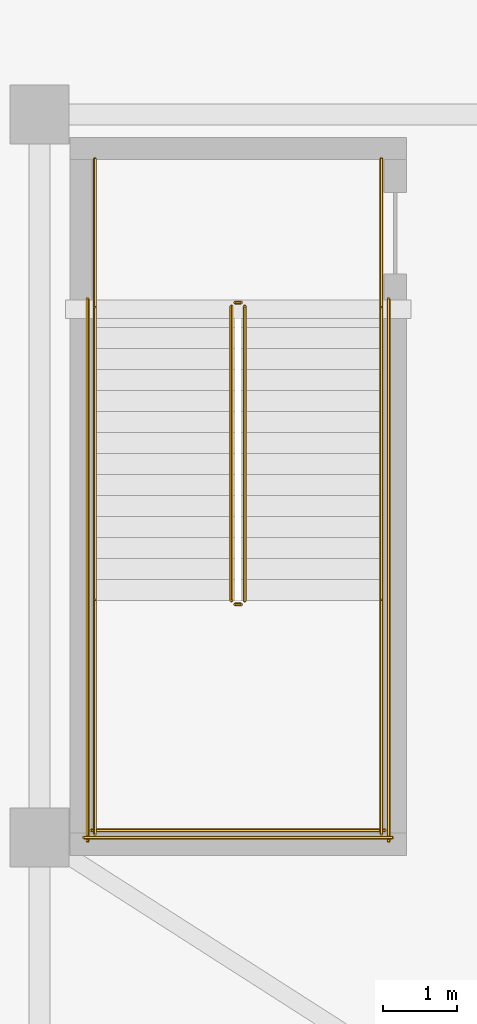
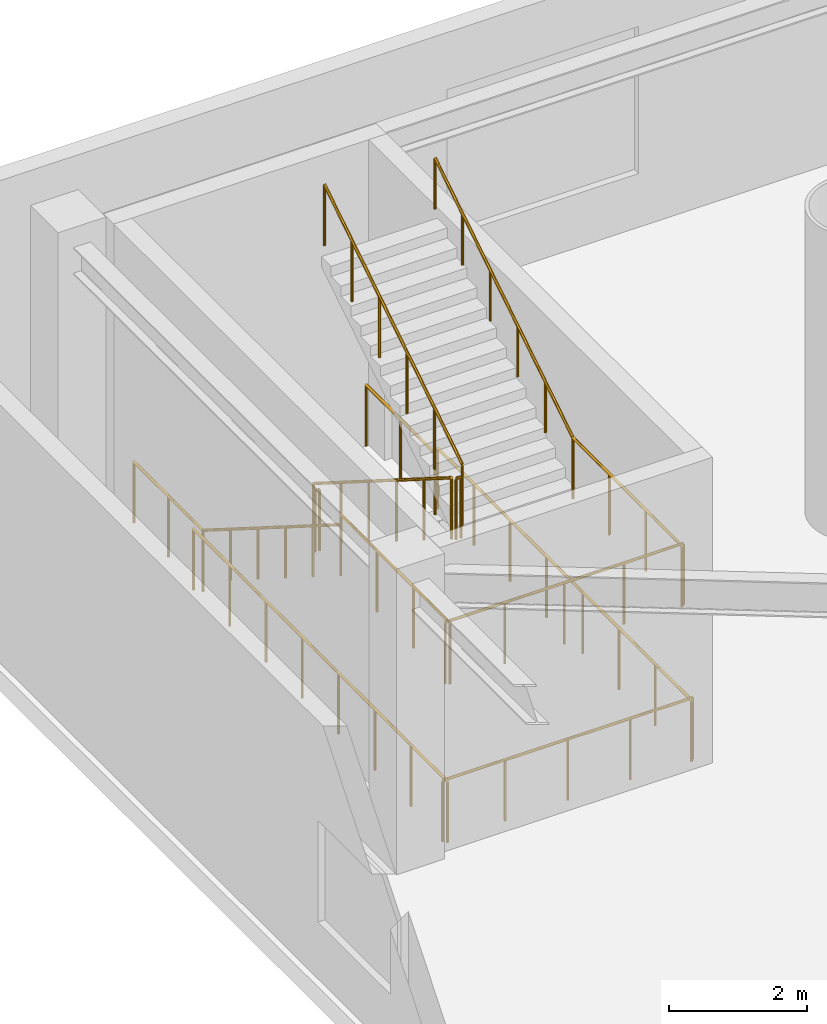
# One storey, part 14 of 16: 14 railings.
"""IFC4 building model written with IfcOpenShell, lengths in metres."""

from ifc_helpers import new_model, si_unit, direction, frame, origin, origin_2d, place, context, subcontext, project, spatial, circle, extrude, material, type_object, element, save


model = new_model("IFC4")

# Units and contexts
model_context = context("Model", 3, precision=1e-05, world=origin(), true_north=direction((0.0, 1.0)))
body_context = subcontext(model_context, "Body", "Model", "MODEL_VIEW")
ifc_project = project(units=[si_unit("LENGTHUNIT", "METRE"), si_unit("AREAUNIT", "SQUARE_METRE"), si_unit("VOLUMEUNIT", "CUBIC_METRE"), si_unit("PLANEANGLEUNIT", "RADIAN"), si_unit("MASSUNIT", "GRAM", prefix="KILO")], contexts=[model_context])

# Site, building, storey
site_placement = place(None, origin())
site = spatial("IfcSite", under=ifc_project, at=site_placement, CompositionType="ELEMENT")
building_placement = place(site_placement, origin())
building = spatial("IfcBuilding", under=site, at=building_placement, Name="Bramvorn Convention Spire", CompositionType="ELEMENT")
storey_placement = place(building_placement, frame((0.0, 0.0, 6.60009765625)))
storey = spatial("IfcBuildingStorey", under=building, at=storey_placement, Name="L01", CompositionType="ELEMENT", Elevation=6.60009765625)

# Railings
ifc_material_1 = material(Name="Painted Steel Balustrade & Guardrail", Category="steel")
railing_type_1 = type_object("IfcRailingType", Name="RL-STAIR-GUARD-1100", PredefinedType="GUARDRAIL", material=ifc_material_1)
railing_1_placement = place(storey_placement, frame((5.39990234375, 46.800048828125, 0.179931640625)))
element("IfcRailing", 1, at=railing_1_placement, inside=storey, type_object=railing_type_1, Name="L01 ST6 stair guard 1", PredefinedType="GUARDRAIL", context=body_context, shape_type="SweptSolid", body=[
    extrude(circle(Radius=0.02392578125, at=origin_2d()), frame((0.0, 0.0, 1.076171875), z_axis=(0.0, -0.845486444383, 0.533996884227), x_axis=(1.0, 0.0, 0.0)), (0.0, 0.0, 1.0), 4.71923828125),
    extrude(circle(Radius=0.02099609375, at=origin_2d()), origin(), (0.0, 0.0, 1.0), 1.052001953125),
    extrude(circle(Radius=0.02099609375, at=origin_2d()), frame((0.0, -0.798095703125, 0.50390625)), (0.0, 0.0, 1.0), 1.052001953125),
    extrude(circle(Radius=0.02099609375, at=origin_2d()), frame((0.0, -1.595947265625, 1.008056640625)), (0.0, 0.0, 1.0), 1.052001953125),
    extrude(circle(Radius=0.02099609375, at=origin_2d()), frame((0.0, -2.39404296875, 1.511962890625)), (0.0, 0.0, 1.0), 1.052001953125),
    extrude(circle(Radius=0.02099609375, at=origin_2d()), frame((0.0, -3.19189453125, 2.01611328125)), (0.0, 0.0, 1.0), 1.052001953125),
    extrude(circle(Radius=0.02099609375, at=origin_2d()), frame((0.0, -3.989990234375, 2.52001953125)), (0.0, 0.0, 1.0), 1.052001953125),
])
railing_2_placement = place(storey_placement, frame((5.449951171875, 42.760009765625, 2.699951171875)))
element("IfcRailing", 2, at=railing_2_placement, inside=storey, type_object=railing_type_1, Name="L01 ST6 stair guard 2", PredefinedType="GUARDRAIL", context=body_context, shape_type="SweptSolid", body=[
    extrude(circle(Radius=0.02392578125, at=origin_2d()), frame((0.0, 0.0, 1.076171875), z_axis=(1.0, 0.0, 0.0), x_axis=(0.0, 1.0, 0.0)), (0.0, 0.0, 1.0), 0.080078125),
    extrude(circle(Radius=0.02099609375, at=origin_2d()), origin(), (0.0, 0.0, 1.0), 1.052001953125),
    extrude(circle(Radius=0.02099609375, at=origin_2d()), frame((0.080078125, 0.0, 0.0)), (0.0, 0.0, 1.0), 1.052001953125),
])
for number, where, name in (
    (3, (3.550048828125, 42.81005859375, 2.699951171875), "L01 ST6 stair guard 3"),
    (4, (7.429931640625, 42.81005859375, 2.699951171875), "L01 ST6 stair guard 4"),
):
    element("IfcRailing", number, at=place(storey_placement, frame(where)), inside=storey, type_object=railing_type_1, Name=name, PredefinedType="GUARDRAIL", context=body_context, shape_type="SweptSolid", body=[
        extrude(circle(Radius=0.02392578125, at=origin_2d()), frame((0.0, 0.0, 1.076171875), z_axis=(0.0, -1.0, 0.0), x_axis=(1.0, 0.0, 0.0)), (0.0, 0.0, 1.0), 3.16015625),
        extrude(circle(Radius=0.02099609375, at=origin_2d()), origin(), (0.0, 0.0, 1.0), 1.052001953125),
        extrude(circle(Radius=0.02099609375, at=origin_2d()), frame((0.0, -1.053466796875, 0.0)), (0.0, 0.0, 1.0), 1.052001953125),
        extrude(circle(Radius=0.02099609375, at=origin_2d()), frame((0.0, -2.106689453125, 0.0)), (0.0, 0.0, 1.0), 1.052001953125),
        extrude(circle(Radius=0.02099609375, at=origin_2d()), frame((0.0, -3.16015625, 0.0)), (0.0, 0.0, 1.0), 1.052001953125),
    ])
railing_3_placement = place(storey_placement, frame((3.5, 39.699951171875, 2.699951171875)))
element("IfcRailing", 5, at=railing_3_placement, inside=storey, type_object=railing_type_1, Name="L01 ST6 stair guard 5", PredefinedType="GUARDRAIL", context=body_context, shape_type="SweptSolid", body=[
    extrude(circle(Radius=0.02392578125, at=origin_2d()), frame((0.0, 0.0, 1.076171875), z_axis=(1.0, 0.0, 0.0), x_axis=(0.0, 1.0, 0.0)), (0.0, 0.0, 1.0), 3.97998046875),
    extrude(circle(Radius=0.02099609375, at=origin_2d()), origin(), (0.0, 0.0, 1.0), 1.052001953125),
    extrude(circle(Radius=0.02099609375, at=origin_2d()), frame((0.9951171875, 0.0, 0.0)), (0.0, 0.0, 1.0), 1.052001953125),
    extrude(circle(Radius=0.02099609375, at=origin_2d()), frame((1.989990234375, 0.0, 0.0)), (0.0, 0.0, 1.0), 1.052001953125),
    extrude(circle(Radius=0.02099609375, at=origin_2d()), frame((2.98486328125, 0.0, 0.0)), (0.0, 0.0, 1.0), 1.052001953125),
    extrude(circle(Radius=0.02099609375, at=origin_2d()), frame((3.97998046875, 0.0, 0.0)), (0.0, 0.0, 1.0), 1.052001953125),
])
railing_4_placement = place(storey_placement, frame((5.580078125, 42.81005859375, 2.8798828125)))
element("IfcRailing", 6, at=railing_4_placement, inside=storey, type_object=railing_type_1, Name="L01 ST6 stair guard 6", PredefinedType="GUARDRAIL", context=body_context, shape_type="SweptSolid", body=[
    extrude(circle(Radius=0.02392578125, at=origin_2d()), frame((0.0, 0.0, 1.076171875), z_axis=(0.0, 0.845486444383, 0.533996884227), x_axis=(-1.0, 0.0, 0.0)), (0.0, 0.0, 1.0), 4.71923828125),
    extrude(circle(Radius=0.02099609375, at=origin_2d()), origin(), (0.0, 0.0, 1.0), 1.052001953125),
    extrude(circle(Radius=0.02099609375, at=origin_2d()), frame((0.0, 0.798095703125, 0.50390625)), (0.0, 0.0, 1.0), 1.052001953125),
    extrude(circle(Radius=0.02099609375, at=origin_2d()), frame((0.0, 1.595947265625, 1.008056640625)), (0.0, 0.0, 1.0), 1.052001953125),
    extrude(circle(Radius=0.02099609375, at=origin_2d()), frame((0.0, 2.39404296875, 1.511962890625)), (0.0, 0.0, 1.0), 1.052001953125),
    extrude(circle(Radius=0.02099609375, at=origin_2d()), frame((0.0, 3.19189453125, 2.01611328125)), (0.0, 0.0, 1.0), 1.052001953125),
    extrude(circle(Radius=0.02099609375, at=origin_2d()), frame((0.0, 3.989990234375, 2.52001953125)), (0.0, 0.0, 1.0), 1.052001953125),
])
railing_5_placement = place(storey_placement, frame((5.449951171875, 46.85009765625, 0.0)))
element("IfcRailing", 7, at=railing_5_placement, inside=storey, type_object=railing_type_1, Name="L01 ST6 stair guard 7", PredefinedType="GUARDRAIL", context=body_context, shape_type="SweptSolid", body=[
    extrude(circle(Radius=0.02392578125, at=origin_2d()), frame((0.0, 0.0, 1.076171875), z_axis=(1.0, 0.0, 0.0), x_axis=(0.0, 1.0, 0.0)), (0.0, 0.0, 1.0), 0.080078125),
    extrude(circle(Radius=0.02099609375, at=origin_2d()), origin(), (0.0, 0.0, 1.0), 1.052001953125),
    extrude(circle(Radius=0.02099609375, at=origin_2d()), frame((0.080078125, 0.0, 0.0)), (0.0, 0.0, 1.0), 1.052001953125),
])
for number, where, name in (
    (8, (3.550048828125, 48.800048828125, 0.0), "L01 ST6 stair guard 8"),
    (9, (7.429931640625, 48.800048828125, 0.0), "L01 ST6 stair guard 9"),
):
    element("IfcRailing", number, at=place(storey_placement, frame(where)), inside=storey, type_object=railing_type_1, Name=name, PredefinedType="GUARDRAIL", context=body_context, shape_type="SweptSolid", body=[
        extrude(circle(Radius=0.02392578125, at=origin_2d()), frame((0.0, 0.0, 1.076171875), z_axis=(0.0, -1.0, 0.0), x_axis=(1.0, 0.0, 0.0)), (0.0, 0.0, 1.0), 2.0),
        extrude(circle(Radius=0.02099609375, at=origin_2d()), origin(), (0.0, 0.0, 1.0), 1.052001953125),
        extrude(circle(Radius=0.02099609375, at=origin_2d()), frame((0.0, -1.0, 0.0)), (0.0, 0.0, 1.0), 1.052001953125),
        extrude(circle(Radius=0.02099609375, at=origin_2d()), frame((0.0, -2.0, 0.0)), (0.0, 0.0, 1.0), 1.052001953125),
    ])
for number, where, name in (
    (10, (3.449951171875, 46.89990234375, 0.0), "L01 ST6 stair guard 10"),
    (11, (7.530029296875, 46.89990234375, 0.0), "L01 ST6 stair guard 11"),
):
    element("IfcRailing", number, at=place(storey_placement, frame(where)), inside=storey, type_object=railing_type_1, Name=name, PredefinedType="GUARDRAIL", context=body_context, shape_type="SweptSolid", body=[
        extrude(circle(Radius=0.02392578125, at=origin_2d()), frame((0.0, 0.0, 1.076171875), z_axis=(0.0, -1.0, 0.0), x_axis=(1.0, 0.0, 0.0)), (0.0, 0.0, 1.0), 7.349853515625),
        extrude(circle(Radius=0.02099609375, at=origin_2d()), origin(), (0.0, 0.0, 1.0), 1.052001953125),
        extrude(circle(Radius=0.02099609375, at=origin_2d()), frame((0.0, -1.050048828125, 0.0)), (0.0, 0.0, 1.0), 1.052001953125),
        extrude(circle(Radius=0.02099609375, at=origin_2d()), frame((0.0, -2.099853515625, 0.0)), (0.0, 0.0, 1.0), 1.052001953125),
        extrude(circle(Radius=0.02099609375, at=origin_2d()), frame((0.0, -3.14990234375, 0.0)), (0.0, 0.0, 1.0), 1.052001953125),
        extrude(circle(Radius=0.02099609375, at=origin_2d()), frame((0.0, -4.199951171875, 0.0)), (0.0, 0.0, 1.0), 1.052001953125),
        extrude(circle(Radius=0.02099609375, at=origin_2d()), frame((0.0, -5.25, 0.0)), (0.0, 0.0, 1.0), 1.052001953125),
        extrude(circle(Radius=0.02099609375, at=origin_2d()), frame((0.0, -6.2998046875, 0.0)), (0.0, 0.0, 1.0), 1.052001953125),
        extrude(circle(Radius=0.02099609375, at=origin_2d()), frame((0.0, -7.349853515625, 0.0)), (0.0, 0.0, 1.0), 1.052001953125),
    ])
railing_6_placement = place(storey_placement, frame((3.39990234375, 39.60009765625, 0.0)))
element("IfcRailing", 12, at=railing_6_placement, inside=storey, type_object=railing_type_1, Name="L01 ST6 stair guard 12", PredefinedType="GUARDRAIL", context=body_context, shape_type="SweptSolid", body=[
    extrude(circle(Radius=0.02392578125, at=origin_2d()), frame((0.0, 0.0, 1.076171875), z_axis=(1.0, 0.0, 0.0), x_axis=(0.0, 1.0, 0.0)), (0.0, 0.0, 1.0), 4.18017578125),
    extrude(circle(Radius=0.02099609375, at=origin_2d()), origin(), (0.0, 0.0, 1.0), 1.052001953125),
    extrude(circle(Radius=0.02099609375, at=origin_2d()), frame((1.044921875, 0.0, 0.0)), (0.0, 0.0, 1.0), 1.052001953125),
    extrude(circle(Radius=0.02099609375, at=origin_2d()), frame((2.090087890625, 0.0, 0.0)), (0.0, 0.0, 1.0), 1.052001953125),
    extrude(circle(Radius=0.02099609375, at=origin_2d()), frame((3.13525390625, 0.0, 0.0)), (0.0, 0.0, 1.0), 1.052001953125),
    extrude(circle(Radius=0.02099609375, at=origin_2d()), frame((4.18017578125, 0.0, 0.0)), (0.0, 0.0, 1.0), 1.052001953125),
])
ifc_material_2 = material(Name="Brushed Bronze Tubular Handrail", Category="aluminium")
railing_type_2 = type_object("IfcRailingType", Name="RL-STAIR-HR-920", PredefinedType="HANDRAIL", material=ifc_material_2)
railing_7_placement = place(storey_placement, frame((3.550048828125, 46.800048828125, 0.179931640625)))
element("IfcRailing", 13, at=railing_7_placement, inside=storey, type_object=railing_type_2, Name="L01 ST6 stair handrail 1", PredefinedType="HANDRAIL", context=body_context, shape_type="SweptSolid", body=[
    extrude(circle(Radius=0.02392578125, at=origin_2d()), frame((0.0, 0.0, 0.89599609375), z_axis=(0.0, -0.845486444383, 0.533996884227), x_axis=(1.0, 0.0, 0.0)), (0.0, 0.0, 1.0), 4.71923828125),
    extrude(circle(Radius=0.02099609375, at=origin_2d()), origin(), (0.0, 0.0, 1.0), 0.871826171875),
    extrude(circle(Radius=0.02099609375, at=origin_2d()), frame((0.0, -0.798095703125, 0.50390625)), (0.0, 0.0, 1.0), 0.871826171875),
    extrude(circle(Radius=0.02099609375, at=origin_2d()), frame((0.0, -1.595947265625, 1.008056640625)), (0.0, 0.0, 1.0), 0.871826171875),
    extrude(circle(Radius=0.02099609375, at=origin_2d()), frame((0.0, -2.39404296875, 1.511962890625)), (0.0, 0.0, 1.0), 0.871826171875),
    extrude(circle(Radius=0.02099609375, at=origin_2d()), frame((0.0, -3.19189453125, 2.01611328125)), (0.0, 0.0, 1.0), 0.871826171875),
    extrude(circle(Radius=0.02099609375, at=origin_2d()), frame((0.0, -3.989990234375, 2.52001953125)), (0.0, 0.0, 1.0), 0.871826171875),
])
railing_8_placement = place(storey_placement, frame((7.429931640625, 42.81005859375, 2.8798828125)))
element("IfcRailing", 14, at=railing_8_placement, inside=storey, type_object=railing_type_2, Name="L01 ST6 stair handrail 2", PredefinedType="HANDRAIL", context=body_context, shape_type="SweptSolid", body=[
    extrude(circle(Radius=0.02392578125, at=origin_2d()), frame((0.0, 0.0, 0.89599609375), z_axis=(0.0, 0.845486444383, 0.533996884227), x_axis=(-1.0, 0.0, 0.0)), (0.0, 0.0, 1.0), 4.71923828125),
    extrude(circle(Radius=0.02099609375, at=origin_2d()), origin(), (0.0, 0.0, 1.0), 0.871826171875),
    extrude(circle(Radius=0.02099609375, at=origin_2d()), frame((0.0, 0.798095703125, 0.50390625)), (0.0, 0.0, 1.0), 0.871826171875),
    extrude(circle(Radius=0.02099609375, at=origin_2d()), frame((0.0, 1.595947265625, 1.008056640625)), (0.0, 0.0, 1.0), 0.871826171875),
    extrude(circle(Radius=0.02099609375, at=origin_2d()), frame((0.0, 2.39404296875, 1.511962890625)), (0.0, 0.0, 1.0), 0.871826171875),
    extrude(circle(Radius=0.02099609375, at=origin_2d()), frame((0.0, 3.19189453125, 2.01611328125)), (0.0, 0.0, 1.0), 0.871826171875),
    extrude(circle(Radius=0.02099609375, at=origin_2d()), frame((0.0, 3.989990234375, 2.52001953125)), (0.0, 0.0, 1.0), 0.871826171875),
])

save(model, "model.ifc")
